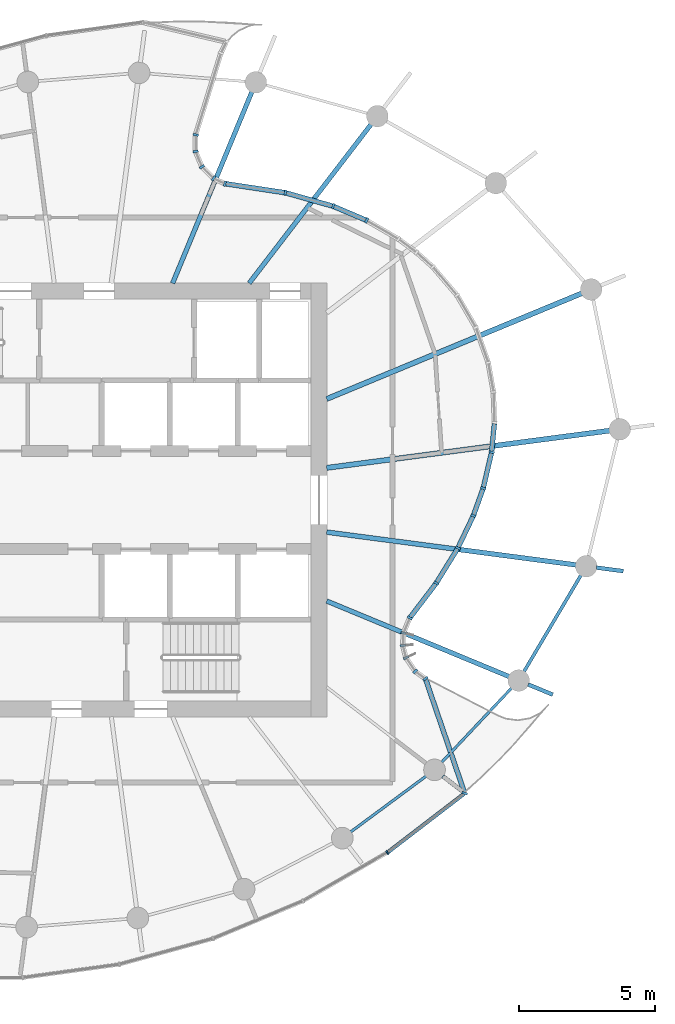
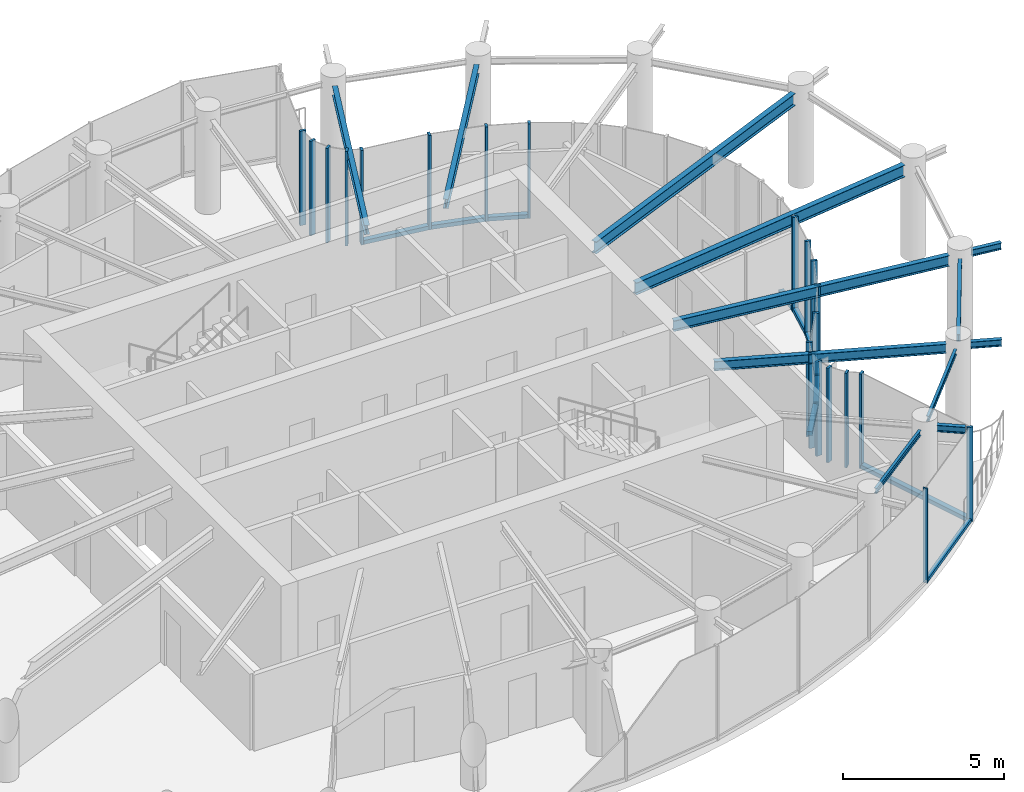
# One storey, part 5 of 14: 32 members, 12 beams, 5 elements without a shape of their own.
"""IFC4 building model written with IfcOpenShell, lengths in metres."""

from ifc_helpers import new_model, si_unit, direction, frame, origin, origin_2d, place, context, subcontext, project, spatial, rectangle, i_section, extrude, source, transform, mapped, material, layer, layer_set, material_profile, profile_set, type_object, element, aggregate, save


model = new_model("IFC4")

# Units and contexts
model_context = context("Model", 3, precision=1e-05, world=origin(), true_north=direction((0.0, 1.0)))
body_context = subcontext(model_context, "Body", "Model", "MODEL_VIEW")
ifc_project = project(units=[si_unit("LENGTHUNIT", "METRE"), si_unit("AREAUNIT", "SQUARE_METRE"), si_unit("VOLUMEUNIT", "CUBIC_METRE"), si_unit("PLANEANGLEUNIT", "RADIAN"), si_unit("MASSUNIT", "GRAM", prefix="KILO")], contexts=[model_context])

# Site, building, storey
site_placement = place(None, origin())
site = spatial("IfcSite", under=ifc_project, at=site_placement, CompositionType="ELEMENT")
building_placement = place(site_placement, origin())
building = spatial("IfcBuilding", under=site, at=building_placement, Name="Spindrift Exchange Tower", CompositionType="ELEMENT")
storey_placement = place(building_placement, frame((0.0, 0.0, 238.39990234375)))
storey = spatial("IfcBuildingStorey", under=building, at=storey_placement, Name="L58", CompositionType="ELEMENT", Elevation=238.39990234375)

# Beams
ifc_material_1 = material(Name="Steel Grade 300", Category="steel")
ifc_material_profile_1 = material_profile(ifc_material_1, i_section(OverallWidth=0.18994140625, OverallDepth=0.4541015625, WebThickness=0.008544921875, FlangeThickness=0.0126953125, FilletRadius=0.013916015625, at=origin_2d()), Name="460UB67.1")
ifc_profile_set_1 = profile_set([ifc_material_profile_1], Name="Steel Grade 300")
beam_type_1 = type_object("IfcBeamType", Name="Floor Beam 460UB67.1 Steel Grade 300", PredefinedType="BEAM", material=ifc_profile_set_1)
shared_shape_1 = source(origin(), body_context, "Body", "SweptSolid", [
    extrude(i_section(OverallWidth=0.18994140625, OverallDepth=0.4541015625, WebThickness=0.008544921875, FlangeThickness=0.0126953125, FilletRadius=0.013916015625, at=origin_2d()), origin(), (0.0, 0.0, 1.0), 10.510009765625),
])
beam_1_placement = place(storey_placement, frame((60.980224609375, 49.182373046875, 3.35302734375), z_axis=(0.991445042488, 0.130524816516, 0.0), x_axis=(-0.130524816516, 0.991445042488, 0.0)))
element("IfcBeam", 1, at=beam_1_placement, inside=storey, type_object=beam_type_1, Name="L58 radial beam R01A", PredefinedType="BEAM", context=body_context, shape_type="MappedRepresentation", body=[
    mapped(shared_shape_1, transform((0.0, 0.0, 0.0), scale=1.0)),
])
shared_shape_2 = source(origin(), body_context, "Body", "SweptSolid", [
    extrude(i_section(OverallWidth=0.18994140625, OverallDepth=0.4541015625, WebThickness=0.008544921875, FlangeThickness=0.0126953125, FilletRadius=0.013916015625, at=origin_2d()), origin(), (0.0, 0.0, 1.0), 10.160400390625),
])
beam_2_placement = place(storey_placement, frame((60.9814453125, 51.72021484375, 3.35302734375), z_axis=(0.923880358773, 0.382681437588, 0.0), x_axis=(-0.382681437588, 0.923880358773, 0.0)))
element("IfcBeam", 2, at=beam_2_placement, inside=storey, type_object=beam_type_1, Name="L58 radial beam R02A", PredefinedType="BEAM", context=body_context, shape_type="MappedRepresentation", body=[
    mapped(shared_shape_2, transform((0.0, 0.0, 0.0), scale=1.0)),
])
ifc_material_profile_2 = material_profile(ifc_material_1, i_section(OverallWidth=0.1708984375, OverallDepth=0.35205078125, WebThickness=0.0068359375, FlangeThickness=0.009765625, FilletRadius=0.013916015625, at=origin_2d()), Name="360UB44.7")
ifc_profile_set_2 = profile_set([ifc_material_profile_2], Name="Steel Grade 300")
beam_type_2 = type_object("IfcBeamType", Name="Floor Beam 360UB44.7 Steel Grade 300", PredefinedType="BEAM", material=ifc_profile_set_2)
shared_shape_3 = source(origin(), body_context, "Body", "SweptSolid", [
    extrude(i_section(OverallWidth=0.1708984375, OverallDepth=0.35205078125, WebThickness=0.0068359375, FlangeThickness=0.009765625, FilletRadius=0.013916015625, at=origin_2d()), origin(), (0.0, 0.0, 1.0), 7.3740234375),
])
beam_3_placement = place(storey_placement, frame((58.12646484375, 55.984130859375, 3.404052734375), z_axis=(0.608751913917, 0.793360641387, 0.0), x_axis=(-0.793360641387, 0.608751913917, 0.0)))
element("IfcBeam", 3, at=beam_3_placement, inside=storey, type_object=beam_type_2, Name="L58 radial beam R04A", PredefinedType="BEAM", context=body_context, shape_type="MappedRepresentation", body=[
    mapped(shared_shape_3, transform((0.0, 0.0, 0.0), scale=1.0)),
])
shared_shape_4 = source(origin(), body_context, "Body", "SweptSolid", [
    extrude(i_section(OverallWidth=0.1708984375, OverallDepth=0.35205078125, WebThickness=0.0068359375, FlangeThickness=0.009765625, FilletRadius=0.013916015625, at=origin_2d()), origin(), (0.0, 0.0, 1.0), 7.630859375),
])
beam_4_placement = place(storey_placement, frame((55.30615234375, 55.9814453125, 3.404052734375), z_axis=(0.382676740702, 0.92388230426, 0.0), x_axis=(-0.92388230426, 0.382676740702, 0.0)))
element("IfcBeam", 4, at=beam_4_placement, inside=storey, type_object=beam_type_2, Name="L58 radial beam R05A", PredefinedType="BEAM", context=body_context, shape_type="MappedRepresentation", body=[
    mapped(shared_shape_4, transform((0.0, 0.0, 0.0), scale=1.0)),
])
shared_shape_5 = source(origin(), body_context, "Body", "SweptSolid", [
    extrude(i_section(OverallWidth=0.1708984375, OverallDepth=0.35205078125, WebThickness=0.0068359375, FlangeThickness=0.009765625, FilletRadius=0.013916015625, at=origin_2d()), origin(), (0.0, 0.0, 1.0), 7.272705078125),
])
beam_5_placement = place(storey_placement, frame((60.9814453125, 44.27978515625, 3.404052734375), z_axis=(0.923874446092, -0.382695711836, 0.0), x_axis=(0.382695711836, 0.923874446092, 0.0)))
element("IfcBeam", 5, at=beam_5_placement, inside=storey, type_object=beam_type_2, Name="L58 radial beam R23A", PredefinedType="BEAM", context=body_context, shape_type="MappedRepresentation", body=[
    mapped(shared_shape_5, transform((0.0, 0.0, 0.0), scale=1.0)),
])
ifc_material_profile_3 = material_profile(ifc_material_1, i_section(OverallWidth=0.177978515625, OverallDepth=0.403076171875, WebThickness=0.007568359375, FlangeThickness=0.010986328125, FilletRadius=0.013916015625, at=origin_2d()), Name="410UB53.7")
ifc_profile_set_3 = profile_set([ifc_material_profile_3], Name="Steel Grade 300")
beam_type_3 = type_object("IfcBeamType", Name="Floor Beam 410UB53.7 Steel Grade 300", PredefinedType="BEAM", material=ifc_profile_set_3)
shared_shape_6 = source(origin(), body_context, "Body", "SweptSolid", [
    extrude(i_section(OverallWidth=0.177978515625, OverallDepth=0.403076171875, WebThickness=0.007568359375, FlangeThickness=0.010986328125, FilletRadius=0.013916015625, at=origin_2d()), origin(), (0.0, 0.0, 1.0), 9.261962890625),
])
beam_6_placement = place(storey_placement, frame((60.980224609375, 46.817626953125, 3.378662109375), z_axis=(0.991447744872, -0.130504288008, 0.0), x_axis=(0.130504288008, 0.991447744872, 0.0)))
element("IfcBeam", 6, at=beam_6_placement, inside=storey, type_object=beam_type_3, Name="L58 radial beam R24A", PredefinedType="BEAM", context=body_context, shape_type="MappedRepresentation", body=[
    mapped(shared_shape_6, transform((0.0, 0.0, 0.0), scale=1.0)),
])
ifc_material_profile_4 = material_profile(ifc_material_1, i_section(OverallWidth=0.09912109375, OverallDepth=0.197998046875, WebThickness=0.00439453125, FlangeThickness=0.007080078125, FilletRadius=0.010986328125, at=origin_2d()), Name="200UB18.2")
ifc_profile_set_4 = profile_set([ifc_material_profile_4], Name="Steel Grade 300")
beam_type_4 = type_object("IfcBeamType", Name="Edge Beam 200UB18.2 Steel Grade 300", PredefinedType="SPANDREL", material=ifc_profile_set_4)
shared_shape_7 = source(origin(), body_context, "Body", "SweptSolid", [
    extrude(i_section(OverallWidth=0.09912109375, OverallDepth=0.197998046875, WebThickness=0.00439453125, FlangeThickness=0.007080078125, FilletRadius=0.010986328125, at=origin_2d()), origin(), (0.0, 0.0, 1.0), 3.466552734375),
])
beam_7_placement = place(storey_placement, frame((61.861083984375, 35.772705078125, 3.481201171875), z_axis=(0.803854022168, 0.594826622676, 0.0), x_axis=(-0.594826622676, 0.803854022168, 0.0)))
element("IfcBeam", 7, at=beam_7_placement, inside=storey, type_object=beam_type_4, Name="L58 edge beam E21", PredefinedType="SPANDREL", context=body_context, shape_type="MappedRepresentation", body=[
    mapped(shared_shape_7, transform((0.0, 0.0, 0.0), scale=1.0)),
])
shared_shape_8 = source(origin(), body_context, "Body", "SweptSolid", [
    extrude(i_section(OverallWidth=0.09912109375, OverallDepth=0.197998046875, WebThickness=0.00439453125, FlangeThickness=0.007080078125, FilletRadius=0.010986328125, at=origin_2d()), origin(), (0.0, 0.0, 1.0), 3.759765625),
])
beam_8_placement = place(storey_placement, frame((65.213623046875, 38.33740234375, 3.481201171875), z_axis=(0.685520646854, 0.72805318675, 0.0), x_axis=(-0.72805318675, 0.685520646854, 0.0)))
element("IfcBeam", 8, at=beam_8_placement, inside=storey, type_object=beam_type_4, Name="L58 edge beam E22", PredefinedType="SPANDREL", context=body_context, shape_type="MappedRepresentation", body=[
    mapped(shared_shape_8, transform((0.0, 0.0, 0.0), scale=1.0)),
])
ifc_material_profile_5 = material_profile(ifc_material_1, i_section(OverallWidth=0.1240234375, OverallDepth=0.248046875, WebThickness=0.0048828125, FlangeThickness=0.008056640625, FilletRadius=0.011962890625, at=origin_2d()), Name="250UB25.7")
ifc_profile_set_5 = profile_set([ifc_material_profile_5], Name="Steel Grade 300")
beam_type_5 = type_object("IfcBeamType", Name="Edge Beam 250UB25.7 Steel Grade 300", PredefinedType="SPANDREL", material=ifc_profile_set_5)
shared_shape_9 = source(origin(), body_context, "Body", "SweptSolid", [
    extrude(i_section(OverallWidth=0.1240234375, OverallDepth=0.248046875, WebThickness=0.0048828125, FlangeThickness=0.008056640625, FilletRadius=0.011962890625, at=origin_2d()), origin(), (0.0, 0.0, 1.0), 4.128662109375),
])
beam_9_placement = place(storey_placement, frame((68.244873046875, 41.678466796875, 3.4560546875), z_axis=(0.509067946458, 0.860726336235, 0.0), x_axis=(-0.860726336235, 0.509067946458, 0.0)))
element("IfcBeam", 9, at=beam_9_placement, inside=storey, type_object=beam_type_5, Name="L58 edge beam E23", PredefinedType="SPANDREL", context=body_context, shape_type="MappedRepresentation", body=[
    mapped(shared_shape_9, transform((0.0, 0.0, 0.0), scale=1.0)),
])
ifc_material_profile_6 = material_profile(ifc_material_1, i_section(OverallWidth=0.14599609375, OverallDepth=0.251953125, WebThickness=0.006103515625, FlangeThickness=0.008544921875, FilletRadius=0.011962890625, at=origin_2d()), Name="250UB31.4")
ifc_profile_set_6 = profile_set([ifc_material_profile_6], Name="Steel Grade 300")
beam_type_6 = type_object("IfcBeamType", Name="Cantilever Beam 250UB31.4 Steel Grade 300", PredefinedType="BEAM", material=ifc_profile_set_6)
shared_shape_10 = source(origin(), body_context, "Body", "SweptSolid", [
    extrude(i_section(OverallWidth=0.14599609375, OverallDepth=0.251953125, WebThickness=0.006103515625, FlangeThickness=0.008544921875, FilletRadius=0.011962890625, at=origin_2d()), origin(), (0.0, 0.0, 1.0), 0.89013671875),
])
beam_10_placement = place(storey_placement, frame((65.25439453125, 37.829345703125, 3.4541015625), z_axis=(0.793469493014, -0.608610025924, 0.0), x_axis=(0.608610025924, 0.793469493014, 0.0)))
element("IfcBeam", 10, at=beam_10_placement, inside=storey, type_object=beam_type_6, Name="L58 cantilever beam R22T", PredefinedType="BEAM", context=body_context, shape_type="MappedRepresentation", body=[
    mapped(shared_shape_10, transform((0.0, 0.0, 0.0), scale=1.0)),
])
shared_shape_11 = source(origin(), body_context, "Body", "SweptSolid", [
    extrude(i_section(OverallWidth=0.14599609375, OverallDepth=0.251953125, WebThickness=0.006103515625, FlangeThickness=0.008544921875, FilletRadius=0.011962890625, at=origin_2d()), origin(), (0.0, 0.0, 1.0), 0.976806640625),
])
beam_11_placement = place(storey_placement, frame((68.402587890625, 41.205810546875, 3.4541015625), z_axis=(0.92387364005, -0.382697657715, 0.0), x_axis=(0.382697657715, 0.92387364005, 0.0)))
element("IfcBeam", 11, at=beam_11_placement, inside=storey, type_object=beam_type_6, Name="L58 cantilever beam R23T", PredefinedType="BEAM", context=body_context, shape_type="MappedRepresentation", body=[
    mapped(shared_shape_11, transform((0.0, 0.0, 0.0), scale=1.0)),
])
shared_shape_12 = source(origin(), body_context, "Body", "SweptSolid", [
    extrude(i_section(OverallWidth=0.14599609375, OverallDepth=0.251953125, WebThickness=0.006103515625, FlangeThickness=0.008544921875, FilletRadius=0.011962890625, at=origin_2d()), origin(), (0.0, 0.0, 1.0), 0.99560546875),
])
beam_12_placement = place(storey_placement, frame((70.916748046875, 45.509521484375, 3.4541015625), z_axis=(0.991453460848, -0.13046085609, 0.0), x_axis=(0.13046085609, 0.991453460848, 0.0)))
element("IfcBeam", 12, at=beam_12_placement, inside=storey, type_object=beam_type_6, Name="L58 cantilever beam R24T", PredefinedType="BEAM", context=body_context, shape_type="MappedRepresentation", body=[
    mapped(shared_shape_12, transform((0.0, 0.0, 0.0), scale=1.0)),
])

# Curtain wall, members
ifc_material_2 = material(Name="Fritted laminated glass with bronze frame", Category="glass")
ifc_layer_1 = layer(ifc_material_2, 0.199951171875)
ifc_layer_set_1 = layer_set([ifc_layer_1], Name="SKY GARDEN BRONZE GLAZED WALL")
curtain_wall_type_1 = type_object("IfcCurtainWallType", Name="SKY GARDEN BRONZE GLAZED WALL", PredefinedType="NOTDEFINED", material=ifc_layer_set_1)
curtain_wall_1_placement = place(storey_placement, origin())
curtain_wall_1 = element("IfcCurtainWall", 13, at=curtain_wall_1_placement, inside=storey, type_object=curtain_wall_type_1, Name="L58 Sky Garden Bronze Glazed Wall run 5", PredefinedType="NOTDEFINED")
ifc_material_3 = material(Name="Bronze anodised aluminium", Category="aluminium")
ifc_material_profile_7 = material_profile(ifc_material_3, rectangle(XDim=0.0849609375, YDim=0.199951171875, at=origin_2d()), Name="SKY GARDEN BRONZE GLAZED WALL MULLION 85X200")
ifc_profile_set_7 = profile_set([ifc_material_profile_7], Name="Bronze anodised aluminium")
member_type_1 = type_object("IfcMemberType", Name="SKY GARDEN BRONZE GLAZED WALL MULLION 85X200", PredefinedType="MULLION", material=ifc_profile_set_7)
shared_shape_13 = source(origin(), body_context, "Body", "SweptSolid", [
    extrude(rectangle(XDim=0.0849609375, YDim=0.199951171875, at=origin_2d()), origin(), (0.0, 0.0, 1.0), 3.580078125),
])
member_1_placement = place(storey_placement, frame((66.064208984375, 37.197998046875, 0.0), z_axis=(0.0, 0.0, 1.0), x_axis=(0.289135989258, 0.957288033831, 0.0)))
member_1 = element("IfcMember", 14, at=member_1_placement, type_object=member_type_1, Name="L58 mullion CW-G.23", PredefinedType="MULLION", context=body_context, shape_type="MappedRepresentation", body=[
    mapped(shared_shape_13, transform((0.0, 0.0, 0.0), scale=1.0)),
])
member_2_placement = place(storey_placement, frame((64.617919921875, 41.419677734375, 0.0), z_axis=(0.0, 0.0, 1.0), x_axis=(-0.594759860327, 0.80390341991, 0.0)))
member_2 = element("IfcMember", 15, at=member_2_placement, type_object=member_type_1, Name="L58 mullion CW-G.24", PredefinedType="MULLION", context=body_context, shape_type="MappedRepresentation", body=[
    mapped(shared_shape_13, transform((0.0, 0.0, 0.0), scale=1.0)),
])
member_3_placement = place(storey_placement, frame((64.24365234375, 41.690673828125, 0.0), z_axis=(0.0, 0.0, 1.0), x_axis=(-0.696737005925, 0.717326665178, 0.0)))
member_3 = element("IfcMember", 16, at=member_3_placement, type_object=member_type_1, Name="L58 mullion CW-G.25", PredefinedType="MULLION", context=body_context, shape_type="MappedRepresentation", body=[
    mapped(shared_shape_13, transform((0.0, 0.0, 0.0), scale=1.0)),
])
member_4_placement = place(storey_placement, frame((63.902587890625, 42.19140625, 0.0), z_axis=(0.0, 0.0, 1.0), x_axis=(-0.412373332051, 0.911014947744, 0.0)))
member_4 = element("IfcMember", 17, at=member_4_placement, type_object=member_type_1, Name="L58 mullion CW-G.26", PredefinedType="MULLION", context=body_context, shape_type="MappedRepresentation", body=[
    mapped(shared_shape_13, transform((0.0, 0.0, 0.0), scale=1.0)),
])
member_5_placement = place(storey_placement, frame((63.7880859375, 42.63623046875, 0.0), z_axis=(0.0, 0.0, 1.0), x_axis=(-0.102493640148, 0.994733659695, 0.0)))
member_5 = element("IfcMember", 18, at=member_5_placement, type_object=member_type_1, Name="L58 mullion CW-G.27", PredefinedType="MULLION", context=body_context, shape_type="MappedRepresentation", body=[
    mapped(shared_shape_13, transform((0.0, 0.0, 0.0), scale=1.0)),
])
member_6_placement = place(storey_placement, frame((63.809814453125, 43.10009765625, 0.0), z_axis=(0.0, 0.0, 1.0), x_axis=(0.218623560661, 0.975809273744, 0.0)))
member_6 = element("IfcMember", 19, at=member_6_placement, type_object=member_type_1, Name="L58 mullion CW-G.28", PredefinedType="MULLION", context=body_context, shape_type="MappedRepresentation", body=[
    mapped(shared_shape_13, transform((0.0, 0.0, 0.0), scale=1.0)),
])

curtain_wall_2_placement = place(storey_placement, origin())
curtain_wall_2 = element("IfcCurtainWall", 20, at=curtain_wall_2_placement, inside=storey, type_object=curtain_wall_type_1, Name="L58 Sky Garden Bronze Glazed Wall run 6", PredefinedType="NOTDEFINED")
member_7_placement = place(storey_placement, frame((64.042236328125, 43.65966796875, 0.0), z_axis=(0.0, 0.0, 1.0), x_axis=(0.499013621893, 0.866594140971, 0.0)))
member_7 = element("IfcMember", 21, at=member_7_placement, type_object=member_type_1, Name="L58 mullion CW-G.29", PredefinedType="MULLION", context=body_context, shape_type="MappedRepresentation", body=[
    mapped(shared_shape_13, transform((0.0, 0.0, 0.0), scale=1.0)),
])
member_8_placement = place(storey_placement, frame((65.01611328125, 44.937744140625, 0.0), z_axis=(0.0, 0.0, 1.0), x_axis=(0.566254251532, 0.824230624656, 0.0)))
member_8 = element("IfcMember", 22, at=member_8_placement, type_object=member_type_1, Name="L58 mullion CW-G.30", PredefinedType="MULLION", context=body_context, shape_type="MappedRepresentation", body=[
    mapped(shared_shape_13, transform((0.0, 0.0, 0.0), scale=1.0)),
])
member_9_placement = place(storey_placement, frame((65.814453125, 46.231689453125, 0.0), z_axis=(0.0, 0.0, 1.0), x_axis=(0.478885238635, 0.87787751322, 0.0)))
member_9 = element("IfcMember", 23, at=member_9_placement, type_object=member_type_1, Name="L58 mullion CW-G.31", PredefinedType="MULLION", context=body_context, shape_type="MappedRepresentation", body=[
    mapped(shared_shape_13, transform((0.0, 0.0, 0.0), scale=1.0)),
])
member_10_placement = place(storey_placement, frame((66.38330078125, 47.42138671875, 0.0), z_axis=(0.0, 0.0, 1.0), x_axis=(0.385052169631, 0.922894808016, 0.0)))
member_10 = element("IfcMember", 24, at=member_10_placement, type_object=member_type_1, Name="L58 mullion CW-G.32", PredefinedType="MULLION", context=body_context, shape_type="MappedRepresentation", body=[
    mapped(shared_shape_13, transform((0.0, 0.0, 0.0), scale=1.0)),
])
member_11_placement = place(storey_placement, frame((66.74658203125, 48.43408203125, 0.0), z_axis=(0.0, 0.0, 1.0), x_axis=(0.282556067401, 0.959250785131, 0.0)))
member_11 = element("IfcMember", 25, at=member_11_placement, type_object=member_type_1, Name="L58 mullion CW-G.33", PredefinedType="MULLION", context=body_context, shape_type="MappedRepresentation", body=[
    mapped(shared_shape_13, transform((0.0, 0.0, 0.0), scale=1.0)),
])
member_12_placement = place(storey_placement, frame((67.054931640625, 49.7607421875, 0.0), z_axis=(0.0, 0.0, 1.0), x_axis=(0.162141634392, 0.986767495612, 0.0)))
member_12 = element("IfcMember", 26, at=member_12_placement, type_object=member_type_1, Name="L58 mullion CW-G.34", PredefinedType="MULLION", context=body_context, shape_type="MappedRepresentation", body=[
    mapped(shared_shape_13, transform((0.0, 0.0, 0.0), scale=1.0)),
])

curtain_wall_3_placement = place(storey_placement, origin())
curtain_wall_3 = element("IfcCurtainWall", 27, at=curtain_wall_3_placement, inside=storey, type_object=curtain_wall_type_1, Name="L58 Sky Garden Bronze Glazed Wall run 8", PredefinedType="NOTDEFINED")
member_13_placement = place(storey_placement, frame((62.45361328125, 58.294677734375, 0.0), z_axis=(0.0, 0.0, 1.0), x_axis=(-0.894257393792, 0.447553028867, 0.0)))
member_13 = element("IfcMember", 28, at=member_13_placement, type_object=member_type_1, Name="L58 mullion CW-G.43", PredefinedType="MULLION", context=body_context, shape_type="MappedRepresentation", body=[
    mapped(shared_shape_13, transform((0.0, 0.0, 0.0), scale=1.0)),
])
member_14_placement = place(storey_placement, frame((61.220703125, 58.818359375, 0.0), z_axis=(0.0, 0.0, 1.0), x_axis=(-0.943391744174, 0.331680594887, 0.0)))
member_14 = element("IfcMember", 29, at=member_14_placement, type_object=member_type_1, Name="L58 mullion CW-G.44", PredefinedType="MULLION", context=body_context, shape_type="MappedRepresentation", body=[
    mapped(shared_shape_13, transform((0.0, 0.0, 0.0), scale=1.0)),
])
member_15_placement = place(storey_placement, frame((59.458740234375, 59.314453125, 0.0), z_axis=(0.0, 0.0, 1.0), x_axis=(-0.977575641612, 0.210584579032, 0.0)))
member_15 = element("IfcMember", 30, at=member_15_placement, type_object=member_type_1, Name="L58 mullion CW-G.45", PredefinedType="MULLION", context=body_context, shape_type="MappedRepresentation", body=[
    mapped(shared_shape_13, transform((0.0, 0.0, 0.0), scale=1.0)),
])
member_16_placement = place(storey_placement, frame((57.232666015625, 59.650634765625, 0.0), z_axis=(0.0, 0.0, 1.0), x_axis=(-0.957235811302, 0.289308834226, 0.0)))
member_16 = element("IfcMember", 31, at=member_16_placement, type_object=member_type_1, Name="L58 mullion CW-G.46", PredefinedType="MULLION", context=body_context, shape_type="MappedRepresentation", body=[
    mapped(shared_shape_13, transform((0.0, 0.0, 0.0), scale=1.0)),
])

curtain_wall_4_placement = place(storey_placement, origin())
curtain_wall_4 = element("IfcCurtainWall", 32, at=curtain_wall_4_placement, inside=storey, type_object=curtain_wall_type_1, Name="L58 Sky Garden Bronze Glazed Wall run 9", PredefinedType="NOTDEFINED")
member_17_placement = place(storey_placement, frame((56.81640625, 59.84521484375, 0.0), z_axis=(0.0, 0.0, 1.0), x_axis=(-0.819682276657, 0.572818440114, 0.0)))
member_17 = element("IfcMember", 33, at=member_17_placement, type_object=member_type_1, Name="L58 mullion CW-G.47", PredefinedType="MULLION", context=body_context, shape_type="MappedRepresentation", body=[
    mapped(shared_shape_13, transform((0.0, 0.0, 0.0), scale=1.0)),
])
member_18_placement = place(storey_placement, frame((56.38671875, 60.2724609375, 0.0), z_axis=(0.0, 0.0, 1.0), x_axis=(-0.556874510583, 0.830596640652, 0.0)))
member_18 = element("IfcMember", 34, at=member_18_placement, type_object=member_type_1, Name="L58 mullion CW-G.48", PredefinedType="MULLION", context=body_context, shape_type="MappedRepresentation", body=[
    mapped(shared_shape_13, transform((0.0, 0.0, 0.0), scale=1.0)),
])
member_19_placement = place(storey_placement, frame((56.15283203125, 60.836669921875, 0.0), z_axis=(0.0, 0.0, 1.0), x_axis=(-0.193546827404, 0.981091038386, 0.0)))
member_19 = element("IfcMember", 35, at=member_19_placement, type_object=member_type_1, Name="L58 mullion CW-G.49", PredefinedType="MULLION", context=body_context, shape_type="MappedRepresentation", body=[
    mapped(shared_shape_13, transform((0.0, 0.0, 0.0), scale=1.0)),
])
member_20_placement = place(storey_placement, frame((56.155029296875, 61.447509765625, 0.0), z_axis=(0.0, 0.0, 1.0), x_axis=(0.151307806186, 0.988486695807, 0.0)))
member_20 = element("IfcMember", 36, at=member_20_placement, type_object=member_type_1, Name="L58 mullion CW-G.50", PredefinedType="MULLION", context=body_context, shape_type="MappedRepresentation", body=[
    mapped(shared_shape_13, transform((0.0, 0.0, 0.0), scale=1.0)),
])
aggregate(curtain_wall_4, [member_17, member_18, member_19, member_20])

ifc_layer_2 = layer(ifc_material_2, 0.159912109375)
ifc_layer_set_2 = layer_set([ifc_layer_2], Name="ZONE 5 BRONZE FRITTED WALL")
curtain_wall_type_2 = type_object("IfcCurtainWallType", Name="ZONE 5 BRONZE FRITTED WALL", PredefinedType="NOTDEFINED", material=ifc_layer_set_2)
curtain_wall_5_placement = place(storey_placement, origin())
curtain_wall_5 = element("IfcCurtainWall", 37, at=curtain_wall_5_placement, inside=storey, type_object=curtain_wall_type_2, Name="L58 Zone 5 Bronze Fritted Wall run 4", PredefinedType="NOTDEFINED")
ifc_material_profile_8 = material_profile(ifc_material_3, rectangle(XDim=0.06005859375, YDim=0.159912109375, at=origin_2d()), Name="ZONE 5 BRONZE FRITTED WALL MULLION 60X160")
ifc_profile_set_8 = profile_set([ifc_material_profile_8], Name="Bronze anodised aluminium")
member_type_2 = type_object("IfcMemberType", Name="ZONE 5 BRONZE FRITTED WALL MULLION 60X160", PredefinedType="MULLION", material=ifc_profile_set_8)
shared_shape_14 = source(origin(), body_context, "Body", "SweptSolid", [
    extrude(rectangle(XDim=0.06005859375, YDim=0.159912109375, at=origin_2d()), origin(), (0.0, 0.0, 1.0), 3.580078125),
])
member_21_placement = place(storey_placement, frame((63.21826171875, 35.01611328125, 0.0), z_axis=(0.0, 0.0, 1.0), x_axis=(0.831851635677, 0.554998068665, 0.0)))
member_21 = element("IfcMember", 38, at=member_21_placement, type_object=member_type_2, Name="L58 mullion CW-5.22", PredefinedType="MULLION", context=body_context, shape_type="MappedRepresentation", body=[
    mapped(shared_shape_14, transform((0.0, 0.0, 0.0), scale=1.0)),
])
ifc_material_profile_9 = material_profile(ifc_material_3, rectangle(XDim=0.139892578125, YDim=0.1201171875, at=origin_2d()), Name="ZONE 5 BRONZE FRITTED WALL TRANSOM 140X120")
ifc_profile_set_9 = profile_set([ifc_material_profile_9], Name="Bronze anodised aluminium")
member_type_3 = type_object("IfcMemberType", Name="ZONE 5 BRONZE FRITTED WALL TRANSOM 140X120", PredefinedType="USERDEFINED", material=ifc_profile_set_9)
shared_shape_15 = source(origin(), body_context, "Body", "SweptSolid", [
    extrude(rectangle(XDim=0.139892578125, YDim=0.1201171875, at=origin_2d()), origin(), (0.0, 0.0, 1.0), 3.526123046875),
])
member_22_placement = place(storey_placement, frame((63.241943359375, 35.0341796875, 0.06005859375), z_axis=(0.793590759765, 0.608451892934, 0.0), x_axis=(-0.608451892934, 0.793590759765, 0.0)))
member_22 = element("IfcMember", 39, at=member_22_placement, type_object=member_type_3, Name="L58 transom CW-5.22", ObjectType="TRANSOM", PredefinedType="USERDEFINED", context=body_context, shape_type="MappedRepresentation", body=[
    mapped(shared_shape_15, transform((0.0, 0.0, 0.0), scale=1.0)),
])
aggregate(curtain_wall_5, [member_21, member_22])

# Member
ifc_material_profile_10 = material_profile(ifc_material_3, rectangle(XDim=0.179931640625, YDim=0.14990234375, at=origin_2d()), Name="SKY GARDEN BRONZE GLAZED WALL TRANSOM 180X150")
ifc_profile_set_10 = profile_set([ifc_material_profile_10], Name="Bronze anodised aluminium")
member_type_4 = type_object("IfcMemberType", Name="SKY GARDEN BRONZE GLAZED WALL TRANSOM 180X150", PredefinedType="USERDEFINED", material=ifc_profile_set_10)
shared_shape_16 = source(origin(), body_context, "Body", "SweptSolid", [
    extrude(rectangle(XDim=0.179931640625, YDim=0.14990234375, at=origin_2d()), origin(), (0.0, 0.0, 1.0), 1.521728515625),
])
member_23_placement = place(storey_placement, frame((64.068115234375, 43.693359375, 0.0751953125), z_axis=(0.605990040108, 0.795472231627, 0.0), x_axis=(-0.795472231627, 0.605990040108, 0.0)))
member_23 = element("IfcMember", 40, at=member_23_placement, type_object=member_type_4, Name="L58 transom CW-G.29", ObjectType="TRANSOM", PredefinedType="USERDEFINED", context=body_context, shape_type="MappedRepresentation", body=[
    mapped(shared_shape_16, transform((0.0, 0.0, 0.0), scale=1.0)),
])

shared_shape_17 = source(origin(), body_context, "Body", "SweptSolid", [
    extrude(rectangle(XDim=0.179931640625, YDim=0.14990234375, at=origin_2d()), origin(), (0.0, 0.0, 1.0), 1.012451171875),
])
member_24_placement = place(storey_placement, frame((67.05908203125, 49.802978515625, 0.0751953125), z_axis=(0.097187361211, 0.995266103522, 0.0), x_axis=(-0.995266103522, 0.097187361211, 0.0)))
member_24 = element("IfcMember", 41, at=member_24_placement, type_object=member_type_4, Name="L58 transom CW-G.34", ObjectType="TRANSOM", PredefinedType="USERDEFINED", context=body_context, shape_type="MappedRepresentation", body=[
    mapped(shared_shape_17, transform((0.0, 0.0, 0.0), scale=1.0)),
])

shared_shape_18 = source(origin(), body_context, "Body", "SweptSolid", [
    extrude(rectangle(XDim=0.179931640625, YDim=0.14990234375, at=origin_2d()), origin(), (0.0, 0.0, 1.0), 1.254150390625),
])
member_25_placement = place(storey_placement, frame((62.414306640625, 58.311279296875, 0.0751953125), z_axis=(-0.920358945684, 0.391074687368, 0.0), x_axis=(-0.391074687368, -0.920358945684, 0.0)))
member_25 = element("IfcMember", 42, at=member_25_placement, type_object=member_type_4, Name="L58 transom CW-G.43", ObjectType="TRANSOM", PredefinedType="USERDEFINED", context=body_context, shape_type="MappedRepresentation", body=[
    mapped(shared_shape_18, transform((0.0, 0.0, 0.0), scale=1.0)),
])

shared_shape_19 = source(origin(), body_context, "Body", "SweptSolid", [
    extrude(rectangle(XDim=0.179931640625, YDim=0.14990234375, at=origin_2d()), origin(), (0.0, 0.0, 1.0), 1.74560546875),
])
member_26_placement = place(storey_placement, frame((61.179931640625, 58.829833984375, 0.0751953125), z_axis=(-0.962562031874, 0.271061496334, 0.0), x_axis=(-0.271061496334, -0.962562031874, 0.0)))
member_26 = element("IfcMember", 43, at=member_26_placement, type_object=member_type_4, Name="L58 transom CW-G.44", ObjectType="TRANSOM", PredefinedType="USERDEFINED", context=body_context, shape_type="MappedRepresentation", body=[
    mapped(shared_shape_19, transform((0.0, 0.0, 0.0), scale=1.0)),
])

shared_shape_20 = source(origin(), body_context, "Body", "SweptSolid", [
    extrude(rectangle(XDim=0.179931640625, YDim=0.14990234375, at=origin_2d()), origin(), (0.0, 0.0, 1.0), 2.166259765625),
])
member_27_placement = place(storey_placement, frame((59.416748046875, 59.32080078125, 0.0751953125), z_axis=(-0.988788728733, 0.149321297649, 0.0), x_axis=(-0.149321297649, -0.988788728733, 0.0)))
member_27 = element("IfcMember", 44, at=member_27_placement, type_object=member_type_4, Name="L58 transom CW-G.45", ObjectType="TRANSOM", PredefinedType="USERDEFINED", context=body_context, shape_type="MappedRepresentation", body=[
    mapped(shared_shape_20, transform((0.0, 0.0, 0.0), scale=1.0)),
])

aggregate(curtain_wall_3, [member_13, member_25, member_14, member_26, member_15, member_27, member_16])

shared_shape_21 = source(origin(), body_context, "Body", "SweptSolid", [
    extrude(rectangle(XDim=0.179931640625, YDim=0.14990234375, at=origin_2d()), origin(), (0.0, 0.0, 1.0), 4.377685546875),
])
member_28_placement = place(storey_placement, frame((66.05029296875, 37.238037109375, 0.0751953125), z_axis=(-0.324080497256, 0.946029508683, 0.0), x_axis=(-0.946029508683, -0.324080497256, 0.0)))
member_28 = element("IfcMember", 45, at=member_28_placement, type_object=member_type_4, Name="L58 transom CW-G.23", ObjectType="TRANSOM", PredefinedType="USERDEFINED", context=body_context, shape_type="MappedRepresentation", body=[
    mapped(shared_shape_21, transform((0.0, 0.0, 0.0), scale=1.0)),
])

aggregate(curtain_wall_1, [member_1, member_28, member_2, member_3, member_4, member_5, member_6])

shared_shape_22 = source(origin(), body_context, "Body", "SweptSolid", [
    extrude(rectangle(XDim=0.179931640625, YDim=0.14990234375, at=origin_2d()), origin(), (0.0, 0.0, 1.0), 1.435546875),
])
member_29_placement = place(storey_placement, frame((65.038330078125, 44.973876953125, 0.0751953125), z_axis=(0.525159739428, 0.851003671017, 0.0), x_axis=(-0.851003671017, 0.525159739428, 0.0)))
member_29 = element("IfcMember", 46, at=member_29_placement, type_object=member_type_4, Name="L58 transom CW-G.30", ObjectType="TRANSOM", PredefinedType="USERDEFINED", context=body_context, shape_type="MappedRepresentation", body=[
    mapped(shared_shape_22, transform((0.0, 0.0, 0.0), scale=1.0)),
])

shared_shape_23 = source(origin(), body_context, "Body", "SweptSolid", [
    extrude(rectangle(XDim=0.179931640625, YDim=0.14990234375, at=origin_2d()), origin(), (0.0, 0.0, 1.0), 1.233642578125),
])
member_30_placement = place(storey_placement, frame((65.832763671875, 46.27001953125, 0.0751953125), z_axis=(0.431392477026, 0.902164359064, 0.0), x_axis=(-0.902164359064, 0.431392477026, 0.0)))
member_30 = element("IfcMember", 47, at=member_30_placement, type_object=member_type_4, Name="L58 transom CW-G.31", ObjectType="TRANSOM", PredefinedType="USERDEFINED", context=body_context, shape_type="MappedRepresentation", body=[
    mapped(shared_shape_23, transform((0.0, 0.0, 0.0), scale=1.0)),
])

shared_shape_24 = source(origin(), body_context, "Body", "SweptSolid", [
    extrude(rectangle(XDim=0.179931640625, YDim=0.14990234375, at=origin_2d()), origin(), (0.0, 0.0, 1.0), 0.9912109375),
])
member_31_placement = place(storey_placement, frame((66.3974609375, 47.461181640625, 0.0751953125), z_axis=(0.337943079491, 0.941166550098, 0.0), x_axis=(-0.941166550098, 0.337943079491, 0.0)))
member_31 = element("IfcMember", 48, at=member_31_placement, type_object=member_type_4, Name="L58 transom CW-G.32", ObjectType="TRANSOM", PredefinedType="USERDEFINED", context=body_context, shape_type="MappedRepresentation", body=[
    mapped(shared_shape_24, transform((0.0, 0.0, 0.0), scale=1.0)),
])

shared_shape_25 = source(origin(), body_context, "Body", "SweptSolid", [
    extrude(rectangle(XDim=0.179931640625, YDim=0.14990234375, at=origin_2d()), origin(), (0.0, 0.0, 1.0), 1.277099609375),
])
member_32_placement = place(storey_placement, frame((66.75634765625, 48.4755859375, 0.0751953125), z_axis=(0.226353213128, 0.974045287913, 0.0), x_axis=(-0.974045287913, 0.226353213128, 0.0)))
member_32 = element("IfcMember", 49, at=member_32_placement, type_object=member_type_4, Name="L58 transom CW-G.33", ObjectType="TRANSOM", PredefinedType="USERDEFINED", context=body_context, shape_type="MappedRepresentation", body=[
    mapped(shared_shape_25, transform((0.0, 0.0, 0.0), scale=1.0)),
])

aggregate(curtain_wall_2, [member_7, member_23, member_8, member_29, member_9, member_30, member_10, member_31, member_11, member_32, member_12, member_24])

save(model, "model.ifc")
